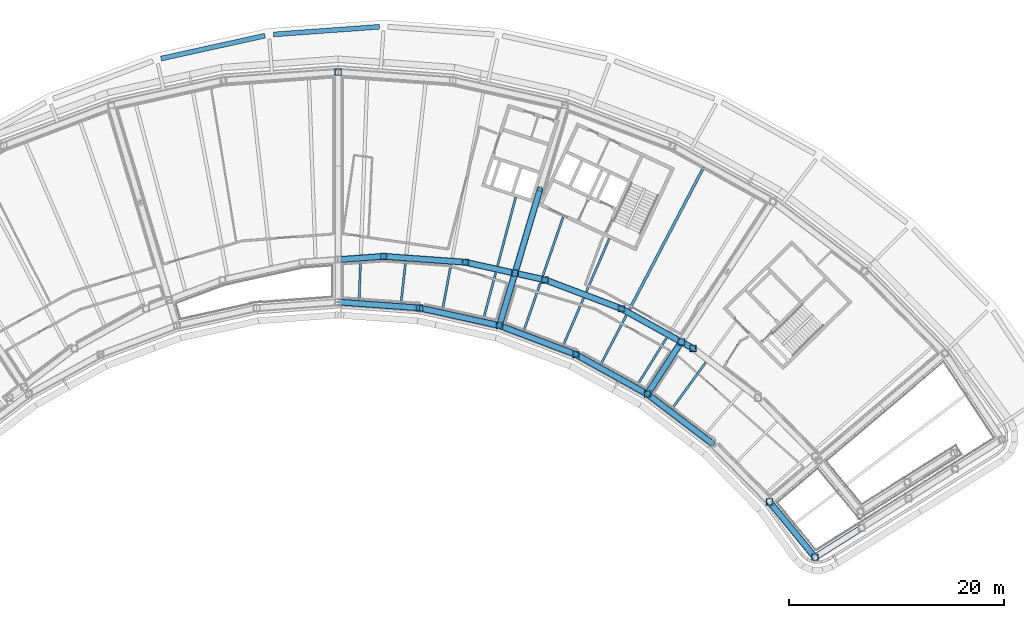
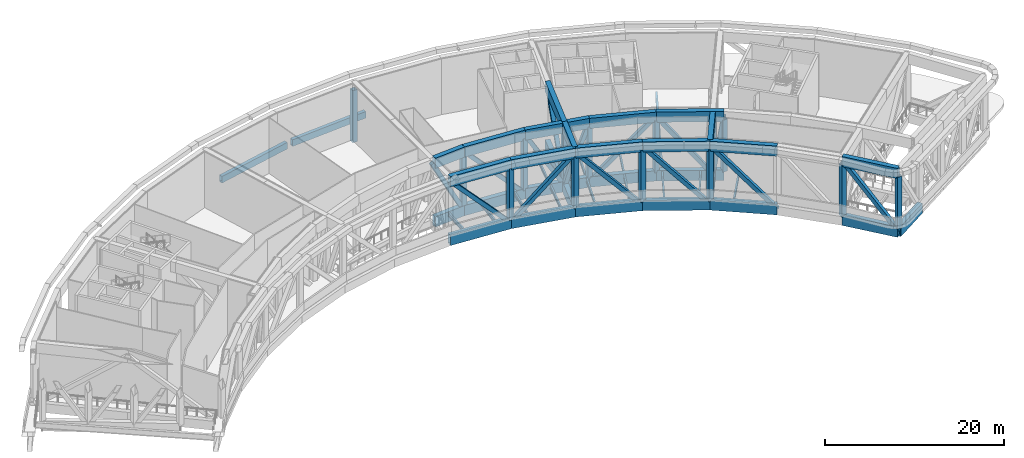
# One storey, part 3 of 24: 46 beams, 30 members.
"""IFC4 building model written with IfcOpenShell, lengths in metres."""

from ifc_helpers import new_model, si_unit, direction, frame, origin, origin_2d, place, context, subcontext, project, spatial, hollow_rectangle, i_section, extrude, material, material_profile, profile_set, type_object, element, save


model = new_model("IFC4")

# Units and contexts
model_context = context("Model", 3, precision=1e-05, world=origin(), true_north=direction((0.0, 1.0)))
body_context = subcontext(model_context, "Body", "Model", "MODEL_VIEW")
ifc_project = project(units=[si_unit("LENGTHUNIT", "METRE"), si_unit("AREAUNIT", "SQUARE_METRE"), si_unit("VOLUMEUNIT", "CUBIC_METRE"), si_unit("PLANEANGLEUNIT", "RADIAN"), si_unit("MASSUNIT", "GRAM", prefix="KILO")], contexts=[model_context])

# Site, building, storey
site_placement = place(None, origin())
site = spatial("IfcSite", under=ifc_project, at=site_placement, CompositionType="ELEMENT")
building_placement = place(site_placement, origin())
building = spatial("IfcBuilding", under=site, at=building_placement, Name="Tuul Gate Civic Tower", CompositionType="ELEMENT")
storey_placement = place(building_placement, frame((0.0, 0.0, 277.800048828125)))
storey = spatial("IfcBuildingStorey", under=building, at=storey_placement, Name="Wind floor 2", CompositionType="ELEMENT", Elevation=277.800048828125)

# Beams
ifc_material_1 = material(Name="Steel S355", Category="steel")
ifc_material_profile_1 = material_profile(ifc_material_1, i_section(OverallWidth=0.199951171875, OverallDepth=0.5, WebThickness=0.010009765625, FlangeThickness=0.01611328125, at=origin_2d()), Name="PG500x200x10x16")
ifc_profile_set_1 = profile_set([ifc_material_profile_1], Name="Steel S355")
beam_type_1 = type_object("IfcBeamType", Name="STR-FLOOR BEAM-PG500x200x10x16", PredefinedType="BEAM", material=ifc_profile_set_1)
beam_1_placement = place(storey_placement, frame((37.837646484375, -22.00048828125, -0.650146484375), z_axis=(0.588404102991, 0.808567011189, 0.0), x_axis=(-0.808567011189, 0.588404102991, 0.0)))
element("IfcBeam", 1, at=beam_1_placement, inside=storey, type_object=beam_type_1, Name="Floor beam", PredefinedType="BEAM", context=body_context, shape_type="SweptSolid", body=[
    extrude(i_section(OverallWidth=0.199951171875, OverallDepth=0.5, WebThickness=0.010009765625, FlangeThickness=0.01611328125, at=origin_2d()), origin(), (0.0, 0.0, 1.0), 5.246337890625),
])
beam_2_placement = place(storey_placement, frame((34.62451171875, -19.7783203125, -0.650146484375), z_axis=(0.527002237929, 0.849863895702, 0.0), x_axis=(-0.849863895702, 0.527002237929, 0.0)))
element("IfcBeam", 2, at=beam_2_placement, inside=storey, type_object=beam_type_1, Name="Floor beam", PredefinedType="BEAM", context=body_context, shape_type="SweptSolid", body=[
    extrude(i_section(OverallWidth=0.199951171875, OverallDepth=0.5, WebThickness=0.010009765625, FlangeThickness=0.01611328125, at=origin_2d()), origin(), (0.0, 0.0, 1.0), 5.0732421875),
])
beam_3_placement = place(storey_placement, frame((31.207275390625, -17.884521484375, -0.650146484375), z_axis=(0.462710835054, 0.886509268493, 0.0), x_axis=(-0.886509268493, 0.462710835054, 0.0)))
element("IfcBeam", 3, at=beam_3_placement, inside=storey, type_object=beam_type_1, Name="Floor beam", PredefinedType="BEAM", context=body_context, shape_type="SweptSolid", body=[
    extrude(i_section(OverallWidth=0.199951171875, OverallDepth=0.5, WebThickness=0.010009765625, FlangeThickness=0.01611328125, at=origin_2d()), origin(), (0.0, 0.0, 1.0), 5.069580078125),
])
beam_4_placement = place(storey_placement, frame((27.6962890625, -16.172119140625, -0.650146484375), z_axis=(0.395893288784, 0.91829652286, 0.0), x_axis=(-0.91829652286, 0.395893288784, 0.0)))
element("IfcBeam", 4, at=beam_4_placement, inside=storey, type_object=beam_type_1, Name="Floor beam", PredefinedType="BEAM", context=body_context, shape_type="SweptSolid", body=[
    extrude(i_section(OverallWidth=0.199951171875, OverallDepth=0.5, WebThickness=0.010009765625, FlangeThickness=0.01611328125, at=origin_2d()), origin(), (0.0, 0.0, 1.0), 4.7744140625),
])
beam_5_placement = place(storey_placement, frame((29.86376953125, -11.144287109375, -0.650146484375), z_axis=(0.395927491078, 0.918281776912, 0.0), x_axis=(-0.918281776912, 0.395927491078, 0.0)))
element("IfcBeam", 5, at=beam_5_placement, inside=storey, type_object=beam_type_1, Name="Floor beam", PredefinedType="BEAM", context=body_context, shape_type="SweptSolid", body=[
    extrude(i_section(OverallWidth=0.199951171875, OverallDepth=0.5, WebThickness=0.010009765625, FlangeThickness=0.01611328125, at=origin_2d()), origin(), (0.0, 0.0, 1.0), 5.35302734375),
])
beam_6_placement = place(storey_placement, frame((24.042236328125, -14.79052734375, -0.650146484375), z_axis=(0.32687795317, 0.945066560477, 0.0), x_axis=(-0.945066560477, 0.32687795317, 0.0)))
element("IfcBeam", 6, at=beam_6_placement, inside=storey, type_object=beam_type_1, Name="Floor beam", PredefinedType="BEAM", context=body_context, shape_type="SweptSolid", body=[
    extrude(i_section(OverallWidth=0.199951171875, OverallDepth=0.5, WebThickness=0.010009765625, FlangeThickness=0.01611328125, at=origin_2d()), origin(), (0.0, 0.0, 1.0), 4.72265625),
])
beam_7_placement = place(storey_placement, frame((25.81640625, -9.661376953125, -0.650146484375), z_axis=(0.326936951475, 0.945046152185, 0.0), x_axis=(-0.945046152185, 0.326936951475, 0.0)))
element("IfcBeam", 7, at=beam_7_placement, inside=storey, type_object=beam_type_1, Name="Floor beam", PredefinedType="BEAM", context=body_context, shape_type="SweptSolid", body=[
    extrude(i_section(OverallWidth=0.199951171875, OverallDepth=0.5, WebThickness=0.010009765625, FlangeThickness=0.01611328125, at=origin_2d()), origin(), (0.0, 0.0, 1.0), 5.747802734375),
])
beam_8_placement = place(storey_placement, frame((20.3134765625, -13.626708984375, -0.650146484375), z_axis=(0.256146467703, 0.966637981399, 0.0), x_axis=(-0.966637981399, 0.256146467703, 0.0)))
element("IfcBeam", 8, at=beam_8_placement, inside=storey, type_object=beam_type_1, Name="Floor beam", PredefinedType="BEAM", context=body_context, shape_type="SweptSolid", body=[
    extrude(i_section(OverallWidth=0.199951171875, OverallDepth=0.5, WebThickness=0.010009765625, FlangeThickness=0.01611328125, at=origin_2d()), origin(), (0.0, 0.0, 1.0), 4.360595703125),
])
beam_9_placement = place(storey_placement, frame((21.60986328125, -8.734375, -0.650146484375), z_axis=(0.256132390661, 0.966641711522, 0.0), x_axis=(-0.966641711522, 0.256132390661, 0.0)))
element("IfcBeam", 9, at=beam_9_placement, inside=storey, type_object=beam_type_1, Name="Floor beam", PredefinedType="BEAM", context=body_context, shape_type="SweptSolid", body=[
    extrude(i_section(OverallWidth=0.199951171875, OverallDepth=0.5, WebThickness=0.010009765625, FlangeThickness=0.01611328125, at=origin_2d()), origin(), (0.0, 0.0, 1.0), 6.574951171875),
])
beam_10_placement = place(storey_placement, frame((16.49853515625, -12.785888671875, -0.650146484375), z_axis=(0.183995344121, 0.982927114969, 0.0), x_axis=(-0.982927114969, 0.183995344121, 0.0)))
element("IfcBeam", 10, at=beam_10_placement, inside=storey, type_object=beam_type_1, Name="Floor beam", PredefinedType="BEAM", context=body_context, shape_type="SweptSolid", body=[
    extrude(i_section(OverallWidth=0.199951171875, OverallDepth=0.5, WebThickness=0.010009765625, FlangeThickness=0.01611328125, at=origin_2d()), origin(), (0.0, 0.0, 1.0), 4.173095703125),
])
beam_11_placement = place(storey_placement, frame((12.63720703125, -12.197265625, -0.650146484375), z_axis=(0.110787307127, 0.993844138977, 0.0), x_axis=(-0.993844138977, 0.110787307127, 0.0)))
element("IfcBeam", 11, at=beam_11_placement, inside=storey, type_object=beam_type_1, Name="Floor beam", PredefinedType="BEAM", context=body_context, shape_type="SweptSolid", body=[
    extrude(i_section(OverallWidth=0.199951171875, OverallDepth=0.5, WebThickness=0.010009765625, FlangeThickness=0.01611328125, at=origin_2d()), origin(), (0.0, 0.0, 1.0), 3.841064453125),
])
beam_12_placement = place(storey_placement, frame((8.7412109375, -11.914794921875, -0.650146484375), z_axis=(0.036952793059, 0.999317012306, 0.0), x_axis=(-0.999317012306, 0.036952793059, 0.0)))
element("IfcBeam", 12, at=beam_12_placement, inside=storey, type_object=beam_type_1, Name="Floor beam", PredefinedType="BEAM", context=body_context, shape_type="SweptSolid", body=[
    extrude(i_section(OverallWidth=0.199951171875, OverallDepth=0.5, WebThickness=0.010009765625, FlangeThickness=0.01611328125, at=origin_2d()), origin(), (0.0, 0.0, 1.0), 3.528076171875),
])
ifc_material_2 = material(Name="Steel S355", Category="steel")
ifc_material_profile_2 = material_profile(ifc_material_2, i_section(OverallWidth=0.25, OverallDepth=0.64990234375, WebThickness=0.011962890625, FlangeThickness=0.02001953125, at=origin_2d()), Name="PG650x250x12x20")
ifc_profile_set_2 = profile_set([ifc_material_profile_2], Name="Steel S355")
beam_type_2 = type_object("IfcBeamType", Name="STR-FLOOR BEAM-PG650x250x12x20", PredefinedType="BEAM", material=ifc_profile_set_2)
beam_13_placement = place(storey_placement, frame((33.876953125, -12.769775390625, -0.72509765625), z_axis=(0.46273864378, 0.886494753257, 0.0), x_axis=(-0.886494753257, 0.46273864378, 0.0)))
element("IfcBeam", 13, at=beam_13_placement, inside=storey, type_object=beam_type_2, Name="Floor beam", PredefinedType="BEAM", context=body_context, shape_type="SweptSolid", body=[
    extrude(i_section(OverallWidth=0.25, OverallDepth=0.64990234375, WebThickness=0.011962890625, FlangeThickness=0.02001953125, at=origin_2d()), origin(), (0.0, 0.0, 1.0), 14.836669921875),
])
ifc_material_3 = material(Name="Steel S355", Category="steel")
ifc_material_profile_3 = material_profile(ifc_material_3, hollow_rectangle(XDim=0.449951171875, YDim=0.89990234375, WallThickness=0.02490234375, at=origin_2d()), Name="BOX900x450x25")
ifc_profile_set_3 = profile_set([ifc_material_profile_3], Name="Steel S355")
beam_type_3 = type_object("IfcBeamType", Name="STR-SPANDREL BEAM-BOX900x450x25", PredefinedType="BEAM", material=ifc_profile_set_3)
beam_14_placement = place(storey_placement, frame((10.632080078125, 13.445068359375, -0.85009765625), z_axis=(-0.997390499353, -0.072195510943, 0.0), x_axis=(0.072195510943, -0.997390499353, 0.0)))
element("IfcBeam", 14, at=beam_14_placement, inside=storey, type_object=beam_type_3, Name="Terrace edge beam", PredefinedType="BEAM", context=body_context, shape_type="SweptSolid", body=[
    extrude(hollow_rectangle(XDim=0.449951171875, YDim=0.89990234375, WallThickness=0.02490234375, at=origin_2d()), origin(), (0.0, 0.0, 1.0), 9.8779296875),
])
beam_15_placement = place(storey_placement, frame((-0.009521484375, 12.616943359375, -0.85009765625), z_axis=(-0.97656649642, -0.215215887123, 0.0), x_axis=(0.215215887123, -0.97656649642, 0.0)))
element("IfcBeam", 15, at=beam_15_placement, inside=storey, type_object=beam_type_3, Name="Terrace edge beam", PredefinedType="BEAM", context=body_context, shape_type="SweptSolid", body=[
    extrude(hollow_rectangle(XDim=0.449951171875, YDim=0.89990234375, WallThickness=0.02490234375, at=origin_2d()), origin(), (0.0, 0.0, 1.0), 9.877197265625),
])
ifc_material_4 = material(Name="Steel S460", Category="steel")
ifc_material_profile_4 = material_profile(ifc_material_4, hollow_rectangle(XDim=0.60009765625, YDim=1.39990234375, WallThickness=0.031982421875, at=origin_2d()), Name="BOX1400x600x32")
ifc_profile_set_4 = profile_set([ifc_material_profile_4], Name="Steel S460")
beam_type_4 = type_object("IfcBeamType", Name="STR-TRANSFER TRUSS CHORD-BOX1400x600x32", PredefinedType="BEAM", material=ifc_profile_set_4)
beam_16_placement = place(storey_placement, frame((25.54248046875, -1.642822265625, -1.10009765625), z_axis=(-0.285218183025, -0.95846261694, 0.0), x_axis=(0.95846261694, -0.285218183025, 0.0)))
element("IfcBeam", 16, at=beam_16_placement, inside=storey, type_object=beam_type_4, Name="Radial truss bottom chord", PredefinedType="BEAM", context=body_context, shape_type="SweptSolid", body=[
    extrude(hollow_rectangle(XDim=0.60009765625, YDim=1.39990234375, WallThickness=0.031982421875, at=origin_2d()), origin(), (0.0, 0.0, 1.0), 8.142822265625),
])
beam_17_placement = place(storey_placement, frame((23.219970703125, -9.447509765625, -1.10009765625), z_axis=(-0.285217784494, -0.958462735534, 0.0), x_axis=(0.958462735534, -0.285217784494, 0.0)))
element("IfcBeam", 17, at=beam_17_placement, inside=storey, type_object=beam_type_4, Name="Radial truss bottom chord", PredefinedType="BEAM", context=body_context, shape_type="SweptSolid", body=[
    extrude(hollow_rectangle(XDim=0.60009765625, YDim=1.39990234375, WallThickness=0.031982421875, at=origin_2d()), origin(), (0.0, 0.0, 1.0), 5.070068359375),
])
beam_18_placement = place(storey_placement, frame((25.54248046875, -1.642822265625, 6.89990234375), z_axis=(-0.285218183025, -0.95846261694, 0.0), x_axis=(0.95846261694, -0.285218183025, 0.0)))
element("IfcBeam", 18, at=beam_18_placement, inside=storey, type_object=beam_type_4, Name="Radial truss top chord", PredefinedType="BEAM", context=body_context, shape_type="SweptSolid", body=[
    extrude(hollow_rectangle(XDim=0.60009765625, YDim=1.39990234375, WallThickness=0.031982421875, at=origin_2d()), origin(), (0.0, 0.0, 1.0), 8.142822265625),
])
beam_19_placement = place(storey_placement, frame((23.219970703125, -9.447509765625, 6.89990234375), z_axis=(-0.285217784494, -0.958462735534, 0.0), x_axis=(0.958462735534, -0.285217784494, 0.0)))
element("IfcBeam", 19, at=beam_19_placement, inside=storey, type_object=beam_type_4, Name="Radial truss top chord", PredefinedType="BEAM", context=body_context, shape_type="SweptSolid", body=[
    extrude(hollow_rectangle(XDim=0.60009765625, YDim=1.39990234375, WallThickness=0.031982421875, at=origin_2d()), origin(), (0.0, 0.0, 1.0), 5.070068359375),
])
for number, where, z_axis, x_axis, name in (
    (20, (38.51171875, -16.08251953125, -1.10009765625), (-0.546729638488, -0.837309203579, 0.0), (0.837309203579, -0.546729638488, 0.0), "Radial truss bottom chord"),
    (21, (38.51171875, -16.08251953125, 6.89990234375), (-0.546729638488, -0.837309203579, 0.0), (0.837309203579, -0.546729638488, 0.0), "Radial truss top chord"),
):
    element("IfcBeam", number, at=place(storey_placement, frame(where, z_axis=z_axis, x_axis=x_axis)), inside=storey, type_object=beam_type_4, Name=name, PredefinedType="BEAM", context=body_context, shape_type="SweptSolid", body=[
        extrude(hollow_rectangle(XDim=0.60009765625, YDim=1.39990234375, WallThickness=0.031982421875, at=origin_2d()), origin(), (0.0, 0.0, 1.0), 5.4814453125),
    ])
for number, where, z_axis, x_axis, name in (
    (22, (14.360107421875, -12.673095703125, -1.10009765625), (0.97656841941, -0.215207161152, 0.0), (0.215207161152, 0.97656841941, 0.0), "Belt truss bottom chord"),
    (23, (14.360107421875, -12.673095703125, 6.89990234375), (0.97656841941, -0.215207161152, 0.0), (0.215207161152, 0.97656841941, 0.0), "Belt truss top chord"),
):
    element("IfcBeam", number, at=place(storey_placement, frame(where, z_axis=z_axis, x_axis=x_axis)), inside=storey, type_object=beam_type_4, Name=name, PredefinedType="BEAM", context=body_context, shape_type="SweptSolid", body=[
        extrude(hollow_rectangle(XDim=0.60009765625, YDim=1.39990234375, WallThickness=0.031982421875, at=origin_2d()), origin(), (0.0, 0.0, 1.0), 7.591796875),
    ])
beam_20_placement = place(storey_placement, frame((18.60302734375, -8.429931640625, -1.10009765625), z_axis=(0.976560607905, -0.215242605187, 0.0), x_axis=(0.215242605187, 0.976560607905, 0.0)))
element("IfcBeam", 24, at=beam_20_placement, inside=storey, type_object=beam_type_4, Name="Belt truss bottom chord", PredefinedType="BEAM", context=body_context, shape_type="SweptSolid", body=[
    extrude(hollow_rectangle(XDim=0.60009765625, YDim=1.39990234375, WallThickness=0.031982421875, at=origin_2d()), origin(), (0.0, 0.0, 1.0), 4.427001953125),
])
beam_21_placement = place(storey_placement, frame((23.513671875, -9.51220703125, -1.10009765625), z_axis=(0.976562057164, -0.215236029763, 0.0), x_axis=(0.215236029763, 0.976562057164, 0.0)))
element("IfcBeam", 25, at=beam_21_placement, inside=storey, type_object=beam_type_4, Name="Belt truss bottom chord", PredefinedType="BEAM", context=body_context, shape_type="SweptSolid", body=[
    extrude(hollow_rectangle(XDim=0.60009765625, YDim=1.39990234375, WallThickness=0.031982421875, at=origin_2d()), origin(), (0.0, 0.0, 1.0), 2.5634765625),
])
beam_22_placement = place(storey_placement, frame((18.60302734375, -8.429931640625, 6.89990234375), z_axis=(0.976560607905, -0.215242605187, 0.0), x_axis=(0.215242605187, 0.976560607905, 0.0)))
element("IfcBeam", 26, at=beam_22_placement, inside=storey, type_object=beam_type_4, Name="Belt truss top chord", PredefinedType="BEAM", context=body_context, shape_type="SweptSolid", body=[
    extrude(hollow_rectangle(XDim=0.60009765625, YDim=1.39990234375, WallThickness=0.031982421875, at=origin_2d()), origin(), (0.0, 0.0, 1.0), 4.427001953125),
])
beam_23_placement = place(storey_placement, frame((23.513671875, -9.51220703125, 6.89990234375), z_axis=(0.976562057164, -0.215236029763, 0.0), x_axis=(0.215236029763, 0.976562057164, 0.0)))
element("IfcBeam", 27, at=beam_23_placement, inside=storey, type_object=beam_type_4, Name="Belt truss top chord", PredefinedType="BEAM", context=body_context, shape_type="SweptSolid", body=[
    extrude(hollow_rectangle(XDim=0.60009765625, YDim=1.39990234375, WallThickness=0.031982421875, at=origin_2d()), origin(), (0.0, 0.0, 1.0), 2.5634765625),
])
for number, where, z_axis, x_axis, name in (
    (28, (6.7880859375, -12.1240234375, -1.10009765625), (0.997381233603, -0.072323404623, 0.0), (0.072323404623, 0.997381233603, 0.0), "Belt truss bottom chord"),
    (29, (6.7880859375, -12.1240234375, 6.89990234375), (0.997381233603, -0.072323404623, 0.0), (0.072323404623, 0.997381233603, 0.0), "Belt truss top chord"),
):
    element("IfcBeam", number, at=place(storey_placement, frame(where, z_axis=z_axis, x_axis=x_axis)), inside=storey, type_object=beam_type_4, Name=name, PredefinedType="BEAM", context=body_context, shape_type="SweptSolid", body=[
        extrude(hollow_rectangle(XDim=0.60009765625, YDim=1.39990234375, WallThickness=0.031982421875, at=origin_2d()), origin(), (0.0, 0.0, 1.0), 7.591796875),
    ])
for number, where, z_axis, x_axis, name in (
    (30, (7.087890625, -8.16748046875, -1.10009765625), (0.997390856918, 0.07219057097, 0.0), (-0.07219057097, 0.997390856918, 0.0), "Belt truss bottom chord"),
    (31, (7.087890625, -8.16748046875, 6.89990234375), (0.997390856918, 0.07219057097, 0.0), (-0.07219057097, 0.997390856918, 0.0), "Belt truss top chord"),
):
    element("IfcBeam", number, at=place(storey_placement, frame(where, z_axis=z_axis, x_axis=x_axis)), inside=storey, type_object=beam_type_4, Name=name, PredefinedType="BEAM", context=body_context, shape_type="SweptSolid", body=[
        extrude(hollow_rectangle(XDim=0.60009765625, YDim=1.39990234375, WallThickness=0.031982421875, at=origin_2d()), origin(), (0.0, 0.0, 1.0), 3.953369140625),
    ])
for number, where, z_axis, x_axis, name in (
    (32, (11.031005859375, -7.882080078125, -1.10009765625), (0.997392819349, -0.072163452736, 0.0), (0.072163452736, 0.997392819349, 0.0), "Belt truss bottom chord"),
    (33, (11.031005859375, -7.882080078125, 6.89990234375), (0.997392819349, -0.072163452736, 0.0), (0.072163452736, 0.997392819349, 0.0), "Belt truss top chord"),
):
    element("IfcBeam", number, at=place(storey_placement, frame(where, z_axis=z_axis, x_axis=x_axis)), inside=storey, type_object=beam_type_4, Name=name, PredefinedType="BEAM", context=body_context, shape_type="SweptSolid", body=[
        extrude(hollow_rectangle(XDim=0.60009765625, YDim=1.39990234375, WallThickness=0.031982421875, at=origin_2d()), origin(), (0.0, 0.0, 1.0), 7.591796875),
    ])
for number, where, z_axis, x_axis, name in (
    (34, (26.01708984375, -10.06396484375, -1.10009765625), (0.935362186019, -0.353691363996, 0.0), (0.353691363996, 0.935362186019, 0.0), "Belt truss bottom chord"),
    (35, (26.01708984375, -10.06396484375, 6.89990234375), (0.935362186019, -0.353691363996, 0.0), (0.353691363996, 0.935362186019, 0.0), "Belt truss top chord"),
):
    element("IfcBeam", number, at=place(storey_placement, frame(where, z_axis=z_axis, x_axis=x_axis)), inside=storey, type_object=beam_type_4, Name=name, PredefinedType="BEAM", context=body_context, shape_type="SweptSolid", body=[
        extrude(hollow_rectangle(XDim=0.60009765625, YDim=1.39990234375, WallThickness=0.031982421875, at=origin_2d()), origin(), (0.0, 0.0, 1.0), 7.591552734375),
    ])
for number, where, z_axis, x_axis, name in (
    (36, (21.77392578125, -14.306884765625, -1.10009765625), (0.935366208927, -0.353680724946, 0.0), (0.353680724946, 0.935366208927, 0.0), "Belt truss bottom chord"),
    (37, (21.77392578125, -14.306884765625, 6.89990234375), (0.935366208927, -0.353680724946, 0.0), (0.353680724946, 0.935366208927, 0.0), "Belt truss top chord"),
):
    element("IfcBeam", number, at=place(storey_placement, frame(where, z_axis=z_axis, x_axis=x_axis)), inside=storey, type_object=beam_type_4, Name=name, PredefinedType="BEAM", context=body_context, shape_type="SweptSolid", body=[
        extrude(hollow_rectangle(XDim=0.60009765625, YDim=1.39990234375, WallThickness=0.031982421875, at=origin_2d()), origin(), (0.0, 0.0, 1.0), 7.591796875),
    ])
for number, where, z_axis, x_axis, name in (
    (38, (35.514892578125, -20.672119140625, -1.10009765625), (0.795625835802, -0.605788353638, 0.0), (0.605788353638, 0.795625835802, 0.0), "Belt truss bottom chord"),
    (39, (35.514892578125, -20.672119140625, 6.89990234375), (0.795625835802, -0.605788353638, 0.0), (0.605788353638, 0.795625835802, 0.0), "Belt truss top chord"),
    (40, (28.875, -16.991943359375, -1.10009765625), (0.874640750969, -0.48477165423, 0.0), (0.48477165423, 0.874640750969, 0.0), "Belt truss bottom chord"),
    (41, (28.875, -16.991943359375, 6.89990234375), (0.874640750969, -0.48477165423, 0.0), (0.48477165423, 0.874640750969, 0.0), "Belt truss top chord"),
):
    element("IfcBeam", number, at=place(storey_placement, frame(where, z_axis=z_axis, x_axis=x_axis)), inside=storey, type_object=beam_type_4, Name=name, PredefinedType="BEAM", context=body_context, shape_type="SweptSolid", body=[
        extrude(hollow_rectangle(XDim=0.60009765625, YDim=1.39990234375, WallThickness=0.031982421875, at=origin_2d()), origin(), (0.0, 0.0, 1.0), 7.591552734375),
    ])
for number, where, z_axis, x_axis, name in (
    (42, (33.117919921875, -12.7490234375, -1.10009765625), (0.874577161364, -0.484886366915, 0.0), (0.484886366915, 0.874577161364, 0.0), "Belt truss bottom chord"),
    (43, (33.117919921875, -12.7490234375, 6.89990234375), (0.874577161364, -0.484886366915, 0.0), (0.484886366915, 0.874577161364, 0.0), "Belt truss top chord"),
):
    element("IfcBeam", number, at=place(storey_placement, frame(where, z_axis=z_axis, x_axis=x_axis)), inside=storey, type_object=beam_type_4, Name=name, PredefinedType="BEAM", context=body_context, shape_type="SweptSolid", body=[
        extrude(hollow_rectangle(XDim=0.60009765625, YDim=1.39990234375, WallThickness=0.031982421875, at=origin_2d()), origin(), (0.0, 0.0, 1.0), 7.59130859375),
    ])
for number, where, z_axis, x_axis, name in (
    (44, (46.868896484375, -30.693115234375, -1.10009765625), (0.634430215085, -0.772980143463, 0.0), (0.772980143463, 0.634430215085, 0.0), "Belt truss bottom chord"),
    (45, (46.868896484375, -30.693115234375, 6.89990234375), (0.634430215085, -0.772980143463, 0.0), (0.772980143463, 0.634430215085, 0.0), "Belt truss top chord"),
):
    element("IfcBeam", number, at=place(storey_placement, frame(where, z_axis=z_axis, x_axis=x_axis)), inside=storey, type_object=beam_type_4, Name=name, PredefinedType="BEAM", context=body_context, shape_type="SweptSolid", body=[
        extrude(hollow_rectangle(XDim=0.60009765625, YDim=1.39990234375, WallThickness=0.031982421875, at=origin_2d()), origin(), (0.0, 0.0, 1.0), 6.65185546875),
    ])
beam_24_placement = place(storey_placement, frame((51.089111328125, -35.8349609375, -1.10009765625), z_axis=(0.846186761618, 0.532886446124, 0.0), x_axis=(-0.532886446124, 0.846186761618, 0.0)))
element("IfcBeam", 46, at=beam_24_placement, inside=storey, type_object=beam_type_4, Name="Belt truss bottom chord", PredefinedType="BEAM", context=body_context, shape_type="SweptSolid", body=[
    extrude(hollow_rectangle(XDim=0.60009765625, YDim=1.39990234375, WallThickness=0.031982421875, at=origin_2d()), origin(), (0.0, 0.0, 1.0), 5.132080078125),
])

# Members
ifc_material_5 = material(Name="Steel S355", Category="steel")
ifc_material_profile_5 = material_profile(ifc_material_5, hollow_rectangle(XDim=0.5, YDim=0.5, WallThickness=0.02001953125, at=origin_2d()), Name="BOX500x500x20")
ifc_profile_set_5 = profile_set([ifc_material_profile_5], Name="Steel S355")
member_type_1 = type_object("IfcMemberType", Name="STR-TRANSFER TRUSS DIAGONAL-BOX500x500x20", PredefinedType="BRACE", material=ifc_profile_set_5)
member_1_placement = place(storey_placement, frame((23.218994140625, -9.450927734375, -1.103515625), z_axis=(0.203449614924, 0.683706950858, 0.700823129994), x_axis=(-0.958465337355, 0.285209041035, 0.0)))
element("IfcMember", 47, at=member_1_placement, inside=storey, type_object=member_type_1, Name="Radial truss web", PredefinedType="BRACE", context=body_context, shape_type="SweptSolid", body=[
    extrude(hollow_rectangle(XDim=0.5, YDim=0.5, WallThickness=0.02001953125, at=origin_2d()), origin(), (0.0, 0.0, 1.0), 11.42529296875),
])
member_2_placement = place(storey_placement, frame((23.220703125, -9.445068359375, -1.104248046875), z_axis=(-0.15267294376, -0.51307276175, 0.844658104438), x_axis=(0.958466011774, -0.285206774595, 0.0)))
element("IfcMember", 48, at=member_2_placement, inside=storey, type_object=member_type_1, Name="Radial truss web", PredefinedType="BRACE", context=body_context, shape_type="SweptSolid", body=[
    extrude(hollow_rectangle(XDim=0.5, YDim=0.5, WallThickness=0.02001953125, at=origin_2d()), origin(), (0.0, 0.0, 1.0), 9.481201171875),
])
member_3_placement = place(storey_placement, frame((38.677734375, -15.828369140625, -1.10400390625), z_axis=(-0.320252661773, -0.4904725975, 0.810478169804), x_axis=(0.837314248085, -0.546721912817, 0.0)))
element("IfcMember", 49, at=member_3_placement, inside=storey, type_object=member_type_1, Name="Radial truss web", PredefinedType="BRACE", context=body_context, shape_type="SweptSolid", body=[
    extrude(hollow_rectangle(XDim=0.5, YDim=0.5, WallThickness=0.02001953125, at=origin_2d()), origin(), (0.0, 0.0, 1.0), 9.880615234375),
])
member_4_placement = place(storey_placement, frame((14.356689453125, -12.67236328125, -1.103759765625), z_axis=(0.672225234183, -0.148157158868, 0.725370726459), x_axis=(0.215232581421, 0.976562817178, 0.0)))
element("IfcMember", 50, at=member_4_placement, inside=storey, type_object=member_type_1, Name="Belt truss web", PredefinedType="BRACE", context=body_context, shape_type="SweptSolid", body=[
    extrude(hollow_rectangle(XDim=0.5, YDim=0.5, WallThickness=0.02001953125, at=origin_2d()), origin(), (0.0, 0.0, 1.0), 11.038818359375),
])
member_5_placement = place(storey_placement, frame((23.222412109375, -9.447998046875, -1.104248046875), z_axis=(-0.496839821607, 0.109493198233, 0.860907330208), x_axis=(-0.21521505409, -0.976566680004, 0.0)))
element("IfcMember", 51, at=member_5_placement, inside=storey, type_object=member_type_1, Name="Belt truss web", PredefinedType="BRACE", context=body_context, shape_type="SweptSolid", body=[
    extrude(hollow_rectangle(XDim=0.5, YDim=0.5, WallThickness=0.02001953125, at=origin_2d()), origin(), (0.0, 0.0, 1.0), 9.302490234375),
])
member_6_placement = place(storey_placement, frame((23.218505859375, -9.447265625, -1.104736328125), z_axis=(0.329144927381, -0.072550211563, 0.941488228063), x_axis=(0.21525323014, 0.976558266011, 0.0)))
element("IfcMember", 52, at=member_6_placement, inside=storey, type_object=member_type_1, Name="Belt truss web", PredefinedType="BRACE", context=body_context, shape_type="SweptSolid", body=[
    extrude(hollow_rectangle(XDim=0.5, YDim=0.5, WallThickness=0.02001953125, at=origin_2d()), origin(), (0.0, 0.0, 1.0), 8.507080078125),
])
member_7_placement = place(storey_placement, frame((14.363525390625, -12.67333984375, -1.103759765625), z_axis=(-0.686556229459, 0.04978378612, 0.72537033192), x_axis=(-0.072322433891, -0.997381303994, 0.0)))
element("IfcMember", 53, at=member_7_placement, inside=storey, type_object=member_type_1, Name="Belt truss web", PredefinedType="BRACE", context=body_context, shape_type="SweptSolid", body=[
    extrude(hollow_rectangle(XDim=0.5, YDim=0.5, WallThickness=0.02001953125, at=origin_2d()), origin(), (0.0, 0.0, 1.0), 11.0390625),
])
member_8_placement = place(storey_placement, frame((11.033447265625, -7.8818359375, -1.1044921875), z_axis=(-0.468295317546, -0.033886074188, 0.882921983836), x_axis=(0.072171780043, -0.997392216816, 0.0)))
element("IfcMember", 54, at=member_8_placement, inside=storey, type_object=member_type_1, Name="Belt truss web", PredefinedType="BRACE", context=body_context, shape_type="SweptSolid", body=[
    extrude(hollow_rectangle(XDim=0.5, YDim=0.5, WallThickness=0.02001953125, at=origin_2d()), origin(), (0.0, 0.0, 1.0), 9.07080078125),
])
member_9_placement = place(storey_placement, frame((18.6064453125, -8.43017578125, -1.103759765625), z_axis=(-0.686560004898, 0.049673477789, 0.725374320802), x_axis=(-0.072162626246, -0.997392879147, 0.0)))
element("IfcMember", 55, at=member_9_placement, inside=storey, type_object=member_type_1, Name="Belt truss web", PredefinedType="BRACE", context=body_context, shape_type="SweptSolid", body=[
    extrude(hollow_rectangle(XDim=0.5, YDim=0.5, WallThickness=0.02001953125, at=origin_2d()), origin(), (0.0, 0.0, 1.0), 11.038818359375),
])
member_10_placement = place(storey_placement, frame((26.013671875, -10.062744140625, -1.103759765625), z_axis=(0.643870517832, -0.243455729753, 0.725368915737), x_axis=(0.353674843182, 0.935368432918, 0.0)))
element("IfcMember", 56, at=member_10_placement, inside=storey, type_object=member_type_1, Name="Belt truss web", PredefinedType="BRACE", context=body_context, shape_type="SweptSolid", body=[
    extrude(hollow_rectangle(XDim=0.5, YDim=0.5, WallThickness=0.02001953125, at=origin_2d()), origin(), (0.0, 0.0, 1.0), 11.0390625),
])
for number, where, z_axis, x_axis, name in (
    (57, (28.878173828125, -16.9931640625, -1.103759765625), (-0.64385757002, 0.243459196578, 0.725379245037), (-0.353685472239, -0.935364413866, 0.0), "Belt truss web"),
    (58, (41.5576171875, -25.273193359375, -1.103759765625), (-0.547652761701, 0.417009644692, 0.725382250152), (-0.605813761503, -0.79560648965, 0.0), "Belt truss web"),
    (59, (35.51806640625, -20.673583984375, -1.103759765625), (-0.602061635098, 0.333675111627, 0.725384523838), (-0.484750606386, -0.874652416454, 0.0), "Belt truss web"),
):
    element("IfcMember", number, at=place(storey_placement, frame(where, z_axis=z_axis, x_axis=x_axis)), inside=storey, type_object=member_type_1, Name=name, PredefinedType="BRACE", context=body_context, shape_type="SweptSolid", body=[
        extrude(hollow_rectangle(XDim=0.5, YDim=0.5, WallThickness=0.02001953125, at=origin_2d()), origin(), (0.0, 0.0, 1.0), 11.038818359375),
    ])
member_11_placement = place(storey_placement, frame((38.678955078125, -15.832275390625, -1.10400390625), z_axis=(-0.544012356976, 0.301619032445, 0.782992027242), x_axis=(-0.484893315185, -0.874573309042, 0.0)))
element("IfcMember", 60, at=member_11_placement, inside=storey, type_object=member_type_1, Name="Belt truss web", PredefinedType="BRACE", context=body_context, shape_type="SweptSolid", body=[
    extrude(hollow_rectangle(XDim=0.5, YDim=0.5, WallThickness=0.02001953125, at=origin_2d()), origin(), (0.0, 0.0, 1.0), 10.227294921875),
])
member_12_placement = place(storey_placement, frame((38.675537109375, -15.830322265625, -1.10498046875), z_axis=(0.133505528294, -0.074042551568, 0.98827828797), x_axis=(0.485006174545, 0.874510726437, 0.0)))
element("IfcMember", 61, at=member_12_placement, inside=storey, type_object=member_type_1, Name="Belt truss web", PredefinedType="BRACE", context=body_context, shape_type="SweptSolid", body=[
    extrude(hollow_rectangle(XDim=0.5, YDim=0.5, WallThickness=0.02001953125, at=origin_2d()), origin(), (0.0, 0.0, 1.0), 8.104736328125),
])
member_13_placement = place(storey_placement, frame((51.091064453125, -35.83740234375, -1.10400390625), z_axis=(-0.405604145782, 0.494217235082, 0.76891781191), x_axis=(-0.77300236669, -0.634403137675, 0.0)))
element("IfcMember", 62, at=member_13_placement, inside=storey, type_object=member_type_1, Name="Belt truss web", PredefinedType="BRACE", context=body_context, shape_type="SweptSolid", body=[
    extrude(hollow_rectangle(XDim=0.5, YDim=0.5, WallThickness=0.02001953125, at=origin_2d()), origin(), (0.0, 0.0, 1.0), 10.414306640625),
])
ifc_material_6 = material(Name="Steel S355", Category="steel")
ifc_material_profile_6 = material_profile(ifc_material_6, hollow_rectangle(XDim=0.60009765625, YDim=0.60009765625, WallThickness=0.028076171875, at=origin_2d()), Name="BOX600x600x28")
ifc_profile_set_6 = profile_set([ifc_material_profile_6], Name="Steel S355")
member_type_2 = type_object("IfcMemberType", Name="STR-TRUSS POST-BOX600x600x28", PredefinedType="POST", material=ifc_profile_set_6)
for number, where, z_axis, x_axis, name in (
    (63, (46.868896484375, -30.693115234375, -0.64501953125), (0.0, 0.0, 1.0), (1.0, 0.0, 0.0), "Radial truss post"),
    (64, (23.219970703125, -9.447509765625, -0.64501953125), (0.0, 0.0, 1.0), (1.0, 0.0, 0.0), "Radial truss post"),
    (65, (21.77392578125, -14.306884765625, -0.64501953125), (0.0, 0.0, 1.0), (1.0, 0.0, 0.0), "Radial truss post"),
    (66, (6.7880859375, 9.23193359375, -0.64501953125), (0.0, 0.0, 1.0), (1.0, 0.0, 0.0), "Radial truss post"),
    (67, (38.67626953125, -15.830810546875, -0.64501953125), (0.0, 0.0, 1.0), (1.0, 0.0, 0.0), "Radial truss post"),
    (68, (35.514892578125, -20.672119140625, -0.64501953125), (0.0, 0.0, 1.0), (1.0, 0.0, 0.0), "Radial truss post"),
    (69, (39.757080078125, -16.429931640625, -0.64501953125), (0.0, 0.0, 1.0), (1.0, 0.0, 0.0), "Belt truss post"),
    (70, (14.360107421875, -12.673095703125, -0.64501953125), (0.0, 0.0, 1.0), (1.0, 0.0, 0.0), "Belt truss post"),
    (71, (18.60302734375, -8.429931640625, -0.64501953125), (0.0, 0.0, 1.0), (1.0, 0.0, 0.0), "Belt truss post"),
    (72, (26.01708984375, -10.06396484375, -0.64501953125), (0.0, 0.0, 1.0), (1.0, 0.0, 0.0), "Belt truss post"),
    (73, (11.031005859375, -7.882080078125, -0.64501953125), (0.0, 0.0, 1.0), (1.0, 0.0, 0.0), "Belt truss post"),
    (74, (33.117919921875, -12.7490234375, -0.64501953125), (0.0, 0.0, 1.0), (1.0, 0.0, 0.0), "Belt truss post"),
    (75, (28.875, -16.991943359375, -0.64501953125), (0.0, 0.0, 1.0), (1.0, 0.0, 0.0), "Belt truss post"),
    (76, (51.089111328125, -35.8349609375, -0.64501953125), (0.0, 0.0, 1.0), (1.0, 0.0, 0.0), "Belt truss post"),
):
    element("IfcMember", number, at=place(storey_placement, frame(where, z_axis=z_axis, x_axis=x_axis)), inside=storey, type_object=member_type_2, Name=name, PredefinedType="POST", context=body_context, shape_type="SweptSolid", body=[
        extrude(hollow_rectangle(XDim=0.60009765625, YDim=0.60009765625, WallThickness=0.028076171875, at=origin_2d()), origin(), (0.0, 0.0, 1.0), 7.090087890625),
    ])

save(model, "model.ifc")
